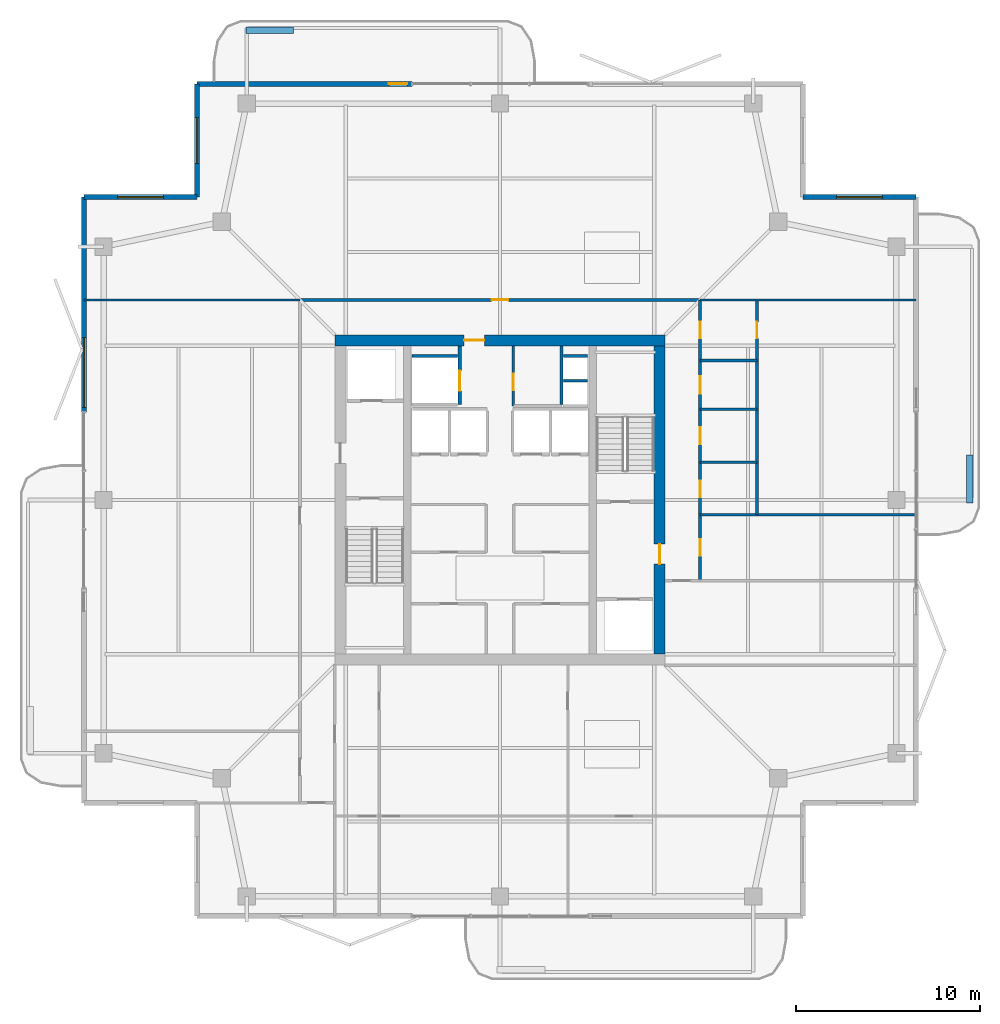
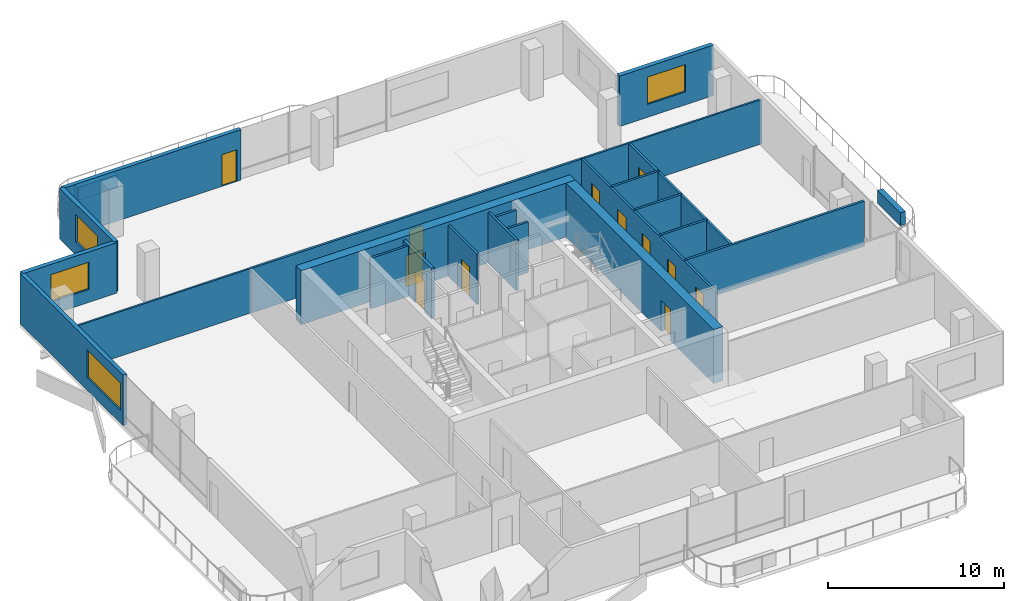
# One storey, part 14 of 18: 24 walls, 12 doors, 4 windows, 16 openings.
"""IFC4 building model written with IfcOpenShell, lengths in metres."""

from ifc_helpers import new_model, si_unit, direction, frame, frame_2d, origin, place, context, subcontext, project, spatial, rectangle, extrude, material, layer, layer_set, type_object, element, fill, save


model = new_model("IFC4")

# Units and contexts
model_context = context("Model", 3, precision=1e-05, world=origin(), true_north=direction((0.0, 1.0)))
body_context = subcontext(model_context, "Body", "Model", "MODEL_VIEW")
ifc_project = project(units=[si_unit("LENGTHUNIT", "METRE"), si_unit("AREAUNIT", "SQUARE_METRE"), si_unit("VOLUMEUNIT", "CUBIC_METRE"), si_unit("PLANEANGLEUNIT", "RADIAN"), si_unit("MASSUNIT", "GRAM", prefix="KILO")], contexts=[model_context])

# Site, building, storey
site_placement = place(None, origin())
site = spatial("IfcSite", under=ifc_project, at=site_placement, CompositionType="ELEMENT")
building_placement = place(site_placement, origin())
building = spatial("IfcBuilding", under=site, at=building_placement, Name="Belovzor Exchange Tower", CompositionType="ELEMENT")
storey_placement = place(building_placement, frame((0.0, 0.0, 310.5)))
storey = spatial("IfcBuildingStorey", under=building, at=storey_placement, Name="L77", CompositionType="ELEMENT", Elevation=310.5)

# Walls
ifc_material_1 = material(Name="Acoustic Plasterboard on Galvanised Studs", Category="gypsum")
ifc_layer_1 = layer(ifc_material_1, 0.1201171875)
ifc_layer_set_1 = layer_set([ifc_layer_1], Name="Acoustic Plasterboard on Galvanised Studs")
wall_type_1 = type_object("IfcWallType", Name="Acoustic Double-Stud Partition Wall 120", PredefinedType="PARTITIONING", material=ifc_layer_set_1)
for number, where, z_axis, x_axis, name in (
    (1, (6.1298828125, 39.699951171875, 0.0), (0.0, 0.0, 1.0), (1.0, 0.0, 0.0), "W-P120 Partition Wall W-L77-END-NW"),
    (2, (39.699951171875, 39.699951171875, 0.0), (0.0, 0.0, 1.0), (1.0, 0.0, 0.0), "W-P120 Partition Wall W-L77-END-NE"),
):
    element("IfcWall", number, at=place(storey_placement, frame(where, z_axis=z_axis, x_axis=x_axis)), inside=storey, type_object=wall_type_1, Name=name, PredefinedType="PARTITIONING", context=body_context, shape_type="SweptSolid", body=[
        extrude(rectangle(XDim=11.77001953125, YDim=0.1201171875, at=frame_2d((5.885009765625, 0.0))), origin(), (0.0, 0.0, 1.0), 3.094970703125),
    ])

# Wall, opening, door
ifc_material_2 = material(Name="Fire-Rated Gypsum Block and Mineral Wool", Category="gypsum")
ifc_layer_2 = layer(ifc_material_2, 0.14990234375)
ifc_layer_set_2 = layer_set([ifc_layer_2], Name="Fire-Rated Gypsum Block and Mineral Wool")
wall_type_2 = type_object("IfcWallType", Name="Fire-Rated Gypsum Block Corridor Wall 150", PredefinedType="PARTITIONING", material=ifc_layer_set_2)
wall_1_placement = place(storey_placement, frame((29.52490234375, 33.925048828125, 0.0), z_axis=(0.0, 0.0, 1.0), x_axis=(0.0, 1.0, 0.0)))
wall_1 = element("IfcWall", 3, at=wall_1_placement, inside=storey, type_object=wall_type_2, Name="W-P150 Partition Wall W-CRV-L77-W", PredefinedType="PARTITIONING", context=body_context, shape_type="SweptSolid", body=[
    extrude(rectangle(XDim=3.27490234375, YDim=0.14990234375, at=frame_2d((1.637451171875, 0.0))), origin(), (0.0, 0.0, 1.0), 3.510009765625),
])
opening_1_placement = place(wall_1_placement, frame((0.85009765625, 0.0, 0.0)))
opening_1 = element("IfcOpeningElement", 4, at=opening_1_placement, cuts=wall_1, Name="Opening D-FD60-090", PredefinedType="OPENING", context=body_context, shape_type="SweptSolid", body=[
    extrude(rectangle(XDim=0.89990234375, YDim=2.10009765625, at=frame_2d((0.449951171875, 1.050048828125))), frame((0.0, 0.0849609375, 0.0), z_axis=(0.0, -1.0, 0.0), x_axis=(1.0, 0.0, 0.0)), (0.0, 0.0, 1.0), 0.169921875),
])
ifc_material_3 = material(Name="Acoustic Timber Fire Leaf", Category="wood")
door_type_1 = type_object("IfcDoorType", Name="Core Service & Restroom Fire Door 900x2100", OperationType="NOTDEFINED", PredefinedType="DOOR", material=ifc_material_3)
door_1_placement = place(opening_1_placement, origin())
door_1 = element("IfcDoor", 5, at=door_1_placement, inside=storey, type_object=door_type_1, Name="D-FD60-090 Core Service & Restroom Fire Door 900x2100", OperationType="SINGLE_SWING_LEFT", OverallHeight=2.10009765625, OverallWidth=0.89990234375, PredefinedType="DOOR", context=body_context, shape_type="SweptSolid", body=[
    extrude(rectangle(XDim=0.89990234375, YDim=2.10009765625, at=frame_2d((0.449951171875, 1.050048828125))), frame((0.0, 0.02490234375, 0.0), z_axis=(0.0, -1.0, 0.0), x_axis=(1.0, 0.0, 0.0)), (0.0, 0.0, 1.0), 0.050048828125),
])
fill(opening_1, door_1)

wall_2_placement = place(storey_placement, frame((42.800048828125, 28.0, 0.0), z_axis=(0.0, 0.0, 1.0), x_axis=(0.0, 1.0, 0.0)))
wall_2 = element("IfcWall", 6, at=wall_2_placement, inside=storey, type_object=wall_type_2, Name="W-P150 Partition Wall W-L77-EWC-E", PredefinedType="PARTITIONING", context=body_context, shape_type="SweptSolid", body=[
    extrude(rectangle(XDim=11.699951171875, YDim=0.14990234375, at=frame_2d((5.85009765625, 0.0))), origin(), (0.0, 0.0, 1.0), 3.094970703125),
])
opening_2_placement = place(wall_2_placement, frame((9.60009765625, 0.0, 0.0)))
opening_2 = element("IfcOpeningElement", 7, at=opening_2_placement, cuts=wall_2, Name="Opening D-INT-090", PredefinedType="OPENING", context=body_context, shape_type="SweptSolid", body=[
    extrude(rectangle(XDim=0.89990234375, YDim=2.10009765625, at=frame_2d((0.449951171875, 1.050048828125))), frame((0.0, 0.0849609375, 0.0), z_axis=(0.0, -1.0, 0.0), x_axis=(1.0, 0.0, 0.0)), (0.0, 0.0, 1.0), 0.169921875),
])
ifc_material_4 = material(Name="Veneered Hardwood Acoustic Leaf", Category="wood")
door_type_2 = type_object("IfcDoorType", Name="Trading Suite Acoustic Single Door 900x2100", OperationType="NOTDEFINED", PredefinedType="DOOR", material=ifc_material_4)
door_2_placement = place(opening_2_placement, origin())
door_2 = element("IfcDoor", 8, at=door_2_placement, inside=storey, type_object=door_type_2, Name="D-INT-090 Trading Suite Acoustic Single Door 900x2100", OperationType="SINGLE_SWING_RIGHT", OverallHeight=2.10009765625, OverallWidth=0.89990234375, PredefinedType="DOOR", context=body_context, shape_type="SweptSolid", body=[
    extrude(rectangle(XDim=0.89990234375, YDim=2.10009765625, at=frame_2d((0.449951171875, 1.050048828125))), frame((0.0, 0.02490234375, 0.0), z_axis=(0.0, -1.0, 0.0), x_axis=(1.0, 0.0, 0.0)), (0.0, 0.0, 1.0), 0.050048828125),
])
fill(opening_2, door_2)

# Walls
wall_3_placement = place(storey_placement, frame((39.699951171875, 28.0, 0.0), z_axis=(0.0, 0.0, 1.0), x_axis=(1.0, 0.0, 0.0)))
element("IfcWall", 9, at=wall_3_placement, inside=storey, type_object=wall_type_2, Name="W-P150 Partition Wall W-L77-EWC-S", PredefinedType="PARTITIONING", context=body_context, shape_type="SweptSolid", body=[
    extrude(rectangle(XDim=11.77001953125, YDim=0.14990234375, at=frame_2d((5.885009765625, 0.0))), origin(), (0.0, 0.0, 1.0), 3.135009765625),
])
for number, where, z_axis, x_axis, name in (
    (10, (39.699951171875, 36.39990234375, 0.0), (0.0, 0.0, 1.0), (1.0, 0.0, 0.0), "W-P150 Partition Wall W-L77-EWC-N"),
    (11, (39.699951171875, 30.85009765625, 0.0), (0.0, 0.0, 1.0), (1.0, 0.0, 0.0), "W-P150 Partition Wall W-L77-EWC-D1"),
    (12, (39.699951171875, 33.75, 0.0), (0.0, 0.0, 1.0), (1.0, 0.0, 0.0), "W-P150 Partition Wall W-L77-EWC-D2"),
):
    element("IfcWall", number, at=place(storey_placement, frame(where, z_axis=z_axis, x_axis=x_axis)), inside=storey, type_object=wall_type_2, Name=name, PredefinedType="PARTITIONING", context=body_context, shape_type="SweptSolid", body=[
        extrude(rectangle(XDim=3.10009765625, YDim=0.14990234375, at=frame_2d((1.550048828125, 0.0))), origin(), (0.0, 0.0, 1.0), 3.135009765625),
    ])

# Wall, opening, door
wall_4_placement = place(storey_placement, frame((17.89990234375, 39.699951171875, 0.0), z_axis=(0.0, 0.0, 1.0), x_axis=(1.0, 0.0, 0.0)))
wall_4 = element("IfcWall", 13, at=wall_4_placement, inside=storey, type_object=wall_type_2, Name="W-P150 Partition Wall W-L77-CN", PredefinedType="PARTITIONING", context=body_context, shape_type="SweptSolid", body=[
    extrude(rectangle(XDim=21.800048828125, YDim=0.14990234375, at=frame_2d((10.89990234375, 0.0))), origin(), (0.0, 0.0, 1.0), 3.094970703125),
])
opening_3_placement = place(wall_4_placement, frame((10.449951171875, 0.0, 0.0)))
opening_3 = element("IfcOpeningElement", 14, at=opening_3_placement, cuts=wall_4, Name="Opening D-INT-090", PredefinedType="OPENING", context=body_context, shape_type="SweptSolid", body=[
    extrude(rectangle(XDim=0.89990234375, YDim=2.10009765625, at=frame_2d((0.449951171875, 1.050048828125))), frame((0.0, 0.0849609375, 0.0), z_axis=(0.0, -1.0, 0.0), x_axis=(1.0, 0.0, 0.0)), (0.0, 0.0, 1.0), 0.169921875),
])
door_3_placement = place(opening_3_placement, origin())
door_3 = element("IfcDoor", 15, at=door_3_placement, inside=storey, type_object=door_type_2, Name="D-INT-090 Trading Suite Acoustic Single Door 900x2100", OperationType="SINGLE_SWING_LEFT", OverallHeight=2.10009765625, OverallWidth=0.89990234375, PredefinedType="DOOR", context=body_context, shape_type="SweptSolid", body=[
    extrude(rectangle(XDim=0.89990234375, YDim=2.10009765625, at=frame_2d((0.449951171875, 1.050048828125))), frame((0.0, 0.02490234375, 0.0), z_axis=(0.0, -1.0, 0.0), x_axis=(1.0, 0.0, 0.0)), (0.0, 0.0, 1.0), 0.050048828125),
])
fill(opening_3, door_3)

# Wall, openings, doors
wall_5_placement = place(storey_placement, frame((39.699951171875, 24.39990234375, 0.0), z_axis=(0.0, 0.0, 1.0), x_axis=(0.0, 1.0, 0.0)))
wall_5 = element("IfcWall", 16, at=wall_5_placement, inside=storey, type_object=wall_type_2, Name="W-P150 Partition Wall W-L77-CE", PredefinedType="PARTITIONING", context=body_context, shape_type="SweptSolid", body=[
    extrude(rectangle(XDim=15.300048828125, YDim=0.14990234375, at=frame_2d((7.64990234375, 0.0))), origin(), (0.0, 0.0, 1.0), 3.094970703125),
])
opening_4_placement = place(wall_5_placement, frame((1.35009765625, 0.0, 0.0)))
opening_4 = element("IfcOpeningElement", 17, at=opening_4_placement, cuts=wall_5, Name="Opening D-INT-090", PredefinedType="OPENING", context=body_context, shape_type="SweptSolid", body=[
    extrude(rectangle(XDim=0.89990234375, YDim=2.10009765625, at=frame_2d((0.449951171875, 1.050048828125))), frame((0.0, 0.0849609375, 0.0), z_axis=(0.0, -1.0, 0.0), x_axis=(1.0, 0.0, 0.0)), (0.0, 0.0, 1.0), 0.169921875),
])
opening_5_placement = place(wall_5_placement, frame((4.550048828125, 0.0, 0.0)))
opening_5 = element("IfcOpeningElement", 18, at=opening_5_placement, cuts=wall_5, Name="Opening D-FD60-090", PredefinedType="OPENING", context=body_context, shape_type="SweptSolid", body=[
    extrude(rectangle(XDim=0.89990234375, YDim=2.10009765625, at=frame_2d((0.449951171875, 1.050048828125))), frame((0.0, 0.0849609375, 0.0), z_axis=(0.0, -1.0, 0.0), x_axis=(1.0, 0.0, 0.0)), (0.0, 0.0, 1.0), 0.169921875),
])
opening_6_placement = place(wall_5_placement, frame((7.449951171875, 0.0, 0.0)))
opening_6 = element("IfcOpeningElement", 19, at=opening_6_placement, cuts=wall_5, Name="Opening D-FD60-090", PredefinedType="OPENING", context=body_context, shape_type="SweptSolid", body=[
    extrude(rectangle(XDim=0.89990234375, YDim=2.10009765625, at=frame_2d((0.449951171875, 1.050048828125))), frame((0.0, 0.0849609375, 0.0), z_axis=(0.0, -1.0, 0.0), x_axis=(1.0, 0.0, 0.0)), (0.0, 0.0, 1.0), 0.169921875),
])
opening_7_placement = place(wall_5_placement, frame((10.199951171875, 0.0, 0.0)))
opening_7 = element("IfcOpeningElement", 20, at=opening_7_placement, cuts=wall_5, Name="Opening D-FD60-095", PredefinedType="OPENING", context=body_context, shape_type="SweptSolid", body=[
    extrude(rectangle(XDim=0.949951171875, YDim=2.10009765625, at=frame_2d((0.47509765625, 1.050048828125))), frame((0.0, 0.0849609375, 0.0), z_axis=(0.0, -1.0, 0.0), x_axis=(1.0, 0.0, 0.0)), (0.0, 0.0, 1.0), 0.169921875),
])
opening_8_placement = place(wall_5_placement, frame((13.199951171875, 0.0, 0.0)))
opening_8 = element("IfcOpeningElement", 21, at=opening_8_placement, cuts=wall_5, Name="Opening D-FD60-090", PredefinedType="OPENING", context=body_context, shape_type="SweptSolid", body=[
    extrude(rectangle(XDim=0.89990234375, YDim=2.10009765625, at=frame_2d((0.449951171875, 1.050048828125))), frame((0.0, 0.0849609375, 0.0), z_axis=(0.0, -1.0, 0.0), x_axis=(1.0, 0.0, 0.0)), (0.0, 0.0, 1.0), 0.169921875),
])
ifc_material_5 = material(Name="Moisture-Resistant Timber Fire Leaf", Category="wood")
door_type_3 = type_object("IfcDoorType", Name="Accessible Restroom Wide Fire Door 950x2100", OperationType="NOTDEFINED", PredefinedType="DOOR", material=ifc_material_5)
door_4_placement = place(opening_7_placement, origin())
door_4 = element("IfcDoor", 22, at=door_4_placement, inside=storey, type_object=door_type_3, Name="D-FD60-095 Accessible Restroom Wide Fire Door 950x2100", OperationType="SINGLE_SWING_LEFT", OverallHeight=2.10009765625, OverallWidth=0.949951171875, PredefinedType="DOOR", context=body_context, shape_type="SweptSolid", body=[
    extrude(rectangle(XDim=0.949951171875, YDim=2.10009765625, at=frame_2d((0.47509765625, 1.050048828125))), frame((0.0, 0.02490234375, 0.0), z_axis=(0.0, -1.0, 0.0), x_axis=(1.0, 0.0, 0.0)), (0.0, 0.0, 1.0), 0.050048828125),
])
fill(opening_7, door_4)
door_5_placement = place(opening_5_placement, origin())
door_5 = element("IfcDoor", 23, at=door_5_placement, inside=storey, type_object=door_type_1, Name="D-FD60-090 Core Service & Restroom Fire Door 900x2100", OperationType="SINGLE_SWING_LEFT", OverallHeight=2.10009765625, OverallWidth=0.89990234375, PredefinedType="DOOR", context=body_context, shape_type="SweptSolid", body=[
    extrude(rectangle(XDim=0.89990234375, YDim=2.10009765625, at=frame_2d((0.449951171875, 1.050048828125))), frame((0.0, 0.02490234375, 0.0), z_axis=(0.0, -1.0, 0.0), x_axis=(1.0, 0.0, 0.0)), (0.0, 0.0, 1.0), 0.050048828125),
])
fill(opening_5, door_5)
door_6_placement = place(opening_6_placement, origin())
door_6 = element("IfcDoor", 24, at=door_6_placement, inside=storey, type_object=door_type_1, Name="D-FD60-090 Core Service & Restroom Fire Door 900x2100", OperationType="SINGLE_SWING_RIGHT", OverallHeight=2.10009765625, OverallWidth=0.89990234375, PredefinedType="DOOR", context=body_context, shape_type="SweptSolid", body=[
    extrude(rectangle(XDim=0.89990234375, YDim=2.10009765625, at=frame_2d((0.449951171875, 1.050048828125))), frame((0.0, 0.02490234375, 0.0), z_axis=(0.0, -1.0, 0.0), x_axis=(1.0, 0.0, 0.0)), (0.0, 0.0, 1.0), 0.050048828125),
])
fill(opening_6, door_6)
door_7_placement = place(opening_8_placement, origin())
door_7 = element("IfcDoor", 25, at=door_7_placement, inside=storey, type_object=door_type_1, Name="D-FD60-090 Core Service & Restroom Fire Door 900x2100", OperationType="SINGLE_SWING_RIGHT", OverallHeight=2.10009765625, OverallWidth=0.89990234375, PredefinedType="DOOR", context=body_context, shape_type="SweptSolid", body=[
    extrude(rectangle(XDim=0.89990234375, YDim=2.10009765625, at=frame_2d((0.449951171875, 1.050048828125))), frame((0.0, 0.02490234375, 0.0), z_axis=(0.0, -1.0, 0.0), x_axis=(1.0, 0.0, 0.0)), (0.0, 0.0, 1.0), 0.050048828125),
])
fill(opening_8, door_7)
door_8_placement = place(opening_4_placement, origin())
door_8 = element("IfcDoor", 26, at=door_8_placement, inside=storey, type_object=door_type_2, Name="D-INT-090 Trading Suite Acoustic Single Door 900x2100", OperationType="SINGLE_SWING_RIGHT", OverallHeight=2.10009765625, OverallWidth=0.89990234375, PredefinedType="DOOR", context=body_context, shape_type="SweptSolid", body=[
    extrude(rectangle(XDim=0.89990234375, YDim=2.10009765625, at=frame_2d((0.449951171875, 1.050048828125))), frame((0.0, 0.02490234375, 0.0), z_axis=(0.0, -1.0, 0.0), x_axis=(1.0, 0.0, 0.0)), (0.0, 0.0, 1.0), 0.050048828125),
])
fill(opening_4, door_8)

# Wall, opening, window
ifc_material_6 = material(Name="Precast concrete C40/50", Category="concrete")
ifc_layer_3 = layer(ifc_material_6, 0.280029296875)
ifc_layer_set_3 = layer_set([ifc_layer_3], Name="Precast concrete C40/50")
wall_type_3 = type_object("IfcWallType", Name="Precast Concrete Notched Corner Frame Wall 280", PredefinedType="SOLIDWALL", material=ifc_layer_set_3)
wall_6_placement = place(storey_placement, frame((6.1298828125, 45.300048828125, 0.0), z_axis=(0.0, 0.0, 1.0), x_axis=(1.0, 0.0, 0.0)))
wall_6 = element("IfcWall", 27, at=wall_6_placement, inside=storey, type_object=wall_type_3, Name="W-CRN280 Precast Concrete Notched Corner Frame Wall 280 L77", PredefinedType="SOLIDWALL", context=body_context, shape_type="SweptSolid", body=[
    extrude(rectangle(XDim=6.170166015625, YDim=0.280029296875, at=frame_2d((3.0849609375, 0.0))), origin(), (0.0, 0.0, 1.0), 3.510009765625),
])
opening_9_placement = place(wall_6_placement, frame((1.8349609375, 0.0, 0.89990234375)))
opening_9 = element("IfcOpeningElement", 28, at=opening_9_placement, cuts=wall_6, Name="Opening WN-CRN250", PredefinedType="OPENING", context=body_context, shape_type="SweptSolid", body=[
    extrude(rectangle(XDim=2.5, YDim=1.89990234375, at=frame_2d((1.25, 0.949951171875))), frame((0.0, 0.14990234375, 0.0), z_axis=(0.0, -1.0, 0.0), x_axis=(1.0, 0.0, 0.0)), (0.0, 0.0, 1.0), 0.300048828125),
])
ifc_material_7 = material(Name="Thermally Broken Aluminium and Triple Glazing", Category="aluminium")
window_type_1 = type_object("IfcWindowType", Name="Streamline Moderne Corner Wrap Ribbon Window 2500x1900", PartitioningType="SINGLE_PANEL", PredefinedType="WINDOW", material=ifc_material_7)
window_1_placement = place(opening_9_placement, origin())
window_1 = element("IfcWindow", 29, at=window_1_placement, inside=storey, type_object=window_type_1, Name="WN-CRN250 Streamline Moderne Corner Wrap Ribbon Window 2500x1900", OverallHeight=1.89990234375, OverallWidth=2.5, PartitioningType="SINGLE_PANEL", PredefinedType="WINDOW", context=body_context, shape_type="SweptSolid", body=[
    extrude(rectangle(XDim=2.5, YDim=1.89990234375, at=frame_2d((1.25, 0.949951171875))), frame((0.0, 0.030029296875, 0.0), z_axis=(0.0, -1.0, 0.0), x_axis=(1.0, 0.0, 0.0)), (0.0, 0.0, 1.0), 0.06005859375),
])
fill(opening_9, window_1)

wall_7_placement = place(storey_placement, frame((12.300048828125, 45.300048828125, 0.0), z_axis=(0.0, 0.0, 1.0), x_axis=(0.0, 1.0, 0.0)))
wall_7 = element("IfcWall", 30, at=wall_7_placement, inside=storey, type_object=wall_type_3, Name="W-CRN280 Precast Concrete Notched Corner Frame Wall 280 L77", PredefinedType="SOLIDWALL", context=body_context, shape_type="SweptSolid", body=[
    extrude(rectangle(XDim=6.169921875, YDim=0.280029296875, at=frame_2d((3.0849609375, 0.0))), origin(), (0.0, 0.0, 1.0), 3.510009765625),
])
opening_10_placement = place(wall_7_placement, frame((1.8349609375, 0.0, 0.89990234375)))
opening_10 = element("IfcOpeningElement", 31, at=opening_10_placement, cuts=wall_7, Name="Opening WN-CRN250", PredefinedType="OPENING", context=body_context, shape_type="SweptSolid", body=[
    extrude(rectangle(XDim=2.5, YDim=1.89990234375, at=frame_2d((1.25, 0.949951171875))), frame((0.0, 0.14990234375, 0.0), z_axis=(0.0, -1.0, 0.0), x_axis=(1.0, 0.0, 0.0)), (0.0, 0.0, 1.0), 0.300048828125),
])
window_2_placement = place(opening_10_placement, origin())
window_2 = element("IfcWindow", 32, at=window_2_placement, inside=storey, type_object=window_type_1, Name="WN-CRN250 Streamline Moderne Corner Wrap Ribbon Window 2500x1900", OverallHeight=1.89990234375, OverallWidth=2.5, PartitioningType="SINGLE_PANEL", PredefinedType="WINDOW", context=body_context, shape_type="SweptSolid", body=[
    extrude(rectangle(XDim=2.5, YDim=1.89990234375, at=frame_2d((1.25, 0.949951171875))), frame((0.0, 0.030029296875, 0.0), z_axis=(0.0, -1.0, 0.0), x_axis=(1.0, 0.0, 0.0)), (0.0, 0.0, 1.0), 0.06005859375),
])
fill(opening_10, window_2)

wall_8_placement = place(storey_placement, frame((45.300048828125, 45.300048828125, 0.0), z_axis=(0.0, 0.0, 1.0), x_axis=(1.0, 0.0, 0.0)))
wall_8 = element("IfcWall", 33, at=wall_8_placement, inside=storey, type_object=wall_type_3, Name="W-CRN280 Precast Concrete Notched Corner Frame Wall 280 L77", PredefinedType="SOLIDWALL", context=body_context, shape_type="SweptSolid", body=[
    extrude(rectangle(XDim=6.169921875, YDim=0.280029296875, at=frame_2d((3.0849609375, 0.0))), origin(), (0.0, 0.0, 1.0), 3.510009765625),
])
opening_11_placement = place(wall_8_placement, frame((1.8349609375, 0.0, 0.89990234375)))
opening_11 = element("IfcOpeningElement", 34, at=opening_11_placement, cuts=wall_8, Name="Opening WN-CRN250", PredefinedType="OPENING", context=body_context, shape_type="SweptSolid", body=[
    extrude(rectangle(XDim=2.5, YDim=1.89990234375, at=frame_2d((1.25, 0.949951171875))), frame((0.0, 0.14990234375, 0.0), z_axis=(0.0, -1.0, 0.0), x_axis=(1.0, 0.0, 0.0)), (0.0, 0.0, 1.0), 0.300048828125),
])
window_3_placement = place(opening_11_placement, origin())
window_3 = element("IfcWindow", 35, at=window_3_placement, inside=storey, type_object=window_type_1, Name="WN-CRN250 Streamline Moderne Corner Wrap Ribbon Window 2500x1900", OverallHeight=1.89990234375, OverallWidth=2.5, PartitioningType="SINGLE_PANEL", PredefinedType="WINDOW", context=body_context, shape_type="SweptSolid", body=[
    extrude(rectangle(XDim=2.5, YDim=1.89990234375, at=frame_2d((1.25, 0.949951171875))), frame((0.0, 0.030029296875, 0.0), z_axis=(0.0, -1.0, 0.0), x_axis=(1.0, 0.0, 0.0)), (0.0, 0.0, 1.0), 0.06005859375),
])
fill(opening_11, window_3)

# Wall, opening, door
ifc_material_8 = material(Name="Precast concrete C40/50", Category="concrete")
ifc_layer_4 = layer(ifc_material_8, 0.260009765625)
ifc_layer_set_4 = layer_set([ifc_layer_4], Name="Precast concrete C40/50")
wall_type_4 = type_object("IfcWallType", Name="Precast Concrete Perimeter Loggia Frame Wall 260", PredefinedType="SOLIDWALL", material=ifc_layer_set_4)
wall_9_placement = place(storey_placement, frame((12.300048828125, 51.469970703125, 0.0), z_axis=(0.0, 0.0, 1.0), x_axis=(1.0, 0.0, 0.0)))
wall_9 = element("IfcWall", 36, at=wall_9_placement, inside=storey, type_object=wall_type_4, Name="W-EXT260 Precast Concrete Perimeter Loggia Frame Wall 260 L77", PredefinedType="SOLIDWALL", context=body_context, shape_type="SweptSolid", body=[
    extrude(rectangle(XDim=11.699951171875, YDim=0.260009765625, at=frame_2d((5.85009765625, 0.0))), origin(), (0.0, 0.0, 1.0), 3.510009765625),
])
opening_12_placement = place(wall_9_placement, frame((10.449951171875, 0.0, 0.0)))
opening_12 = element("IfcOpeningElement", 37, at=opening_12_placement, cuts=wall_9, Name="Opening D-BAL100", PredefinedType="OPENING", context=body_context, shape_type="SweptSolid", body=[
    extrude(rectangle(XDim=1.0, YDim=2.199951171875, at=frame_2d((0.5, 1.10009765625))), frame((0.0, 0.139892578125, 0.0), z_axis=(0.0, -1.0, 0.0), x_axis=(1.0, 0.0, 0.0)), (0.0, 0.0, 1.0), 0.280029296875),
])
ifc_material_9 = material(Name="Thermally Broken Anodised Aluminium and Laminated Glass", Category="aluminium")
door_type_4 = type_object("IfcDoorType", Name="Planted Loggia Terrace Glazed Door 1000x2200", OperationType="SINGLE_SWING_LEFT", PredefinedType="DOOR", material=ifc_material_9)
door_9_placement = place(opening_12_placement, origin())
door_9 = element("IfcDoor", 38, at=door_9_placement, inside=storey, type_object=door_type_4, Name="D-BAL100 Balcony Terrace Door L77 N", OperationType="SINGLE_SWING_RIGHT", OverallHeight=2.199951171875, OverallWidth=1.0, PredefinedType="DOOR", context=body_context, shape_type="SweptSolid", body=[
    extrude(rectangle(XDim=1.0, YDim=2.199951171875, at=frame_2d((0.5, 1.10009765625))), frame((0.0, 0.02490234375, 0.0), z_axis=(0.0, -1.0, 0.0), x_axis=(1.0, 0.0, 0.0)), (0.0, 0.0, 1.0), 0.050048828125),
])
fill(opening_12, door_9)

# Wall, opening, window
wall_10_placement = place(storey_placement, frame((6.1298828125, 33.60009765625, 0.0), z_axis=(0.0, 0.0, 1.0), x_axis=(0.0, 1.0, 0.0)))
wall_10 = element("IfcWall", 39, at=wall_10_placement, inside=storey, type_object=wall_type_4, Name="W-EXT260 Precast Concrete Perimeter Loggia Frame Wall 260 L77", PredefinedType="SOLIDWALL", context=body_context, shape_type="SweptSolid", body=[
    extrude(rectangle(XDim=11.699951171875, YDim=0.260009765625, at=frame_2d((5.85009765625, 0.0))), origin(), (0.0, 0.0, 1.0), 3.510009765625),
])
opening_13_placement = place(wall_10_placement, frame((0.25, 0.0, 0.89990234375)))
opening_13 = element("IfcOpeningElement", 40, at=opening_13_placement, cuts=wall_10, Name="Opening WN-RIB380", PredefinedType="OPENING", context=body_context, shape_type="SweptSolid", body=[
    extrude(rectangle(XDim=3.800048828125, YDim=1.89990234375, at=frame_2d((1.89990234375, 0.949951171875))), frame((0.0, 0.139892578125, 0.0), z_axis=(0.0, -1.0, 0.0), x_axis=(1.0, 0.0, 0.0)), (0.0, 0.0, 1.0), 0.280029296875),
])
ifc_material_10 = material(Name="Thermally Broken Aluminium and Triple Glazing", Category="aluminium")
window_type_2 = type_object("IfcWindowType", Name="Streamline Moderne Horizontal Ribbon Window 3800x1900", PartitioningType="SINGLE_PANEL", PredefinedType="WINDOW", material=ifc_material_10)
window_4_placement = place(opening_13_placement, origin())
window_4 = element("IfcWindow", 41, at=window_4_placement, inside=storey, type_object=window_type_2, Name="WN-RIB380 Streamline Moderne Horizontal Ribbon Window 3800x1900", OverallHeight=1.89990234375, OverallWidth=3.800048828125, PartitioningType="SINGLE_PANEL", PredefinedType="WINDOW", context=body_context, shape_type="SweptSolid", body=[
    extrude(rectangle(XDim=3.800048828125, YDim=1.89990234375, at=frame_2d((1.89990234375, 0.949951171875))), frame((0.0, 0.030029296875, 0.0), z_axis=(0.0, -1.0, 0.0), x_axis=(1.0, 0.0, 0.0)), (0.0, 0.0, 1.0), 0.06005859375),
])
fill(opening_13, window_4)

# Walls
ifc_material_11 = material(Name="Precast concrete C40/50", Category="concrete")
ifc_layer_5 = layer(ifc_material_11, 0.35009765625)
ifc_layer_set_5 = layer_set([ifc_layer_5], Name="Precast concrete C40/50")
wall_type_5 = type_object("IfcWallType", Name="Precast Concrete Structural Tree Planter Trough 350", PredefinedType="PARAPET", material=ifc_layer_set_5)
for number, where, z_axis, x_axis, name in (
    (42, (14.949951171875, 54.39990234375, 0.0), (0.0, 0.0, 1.0), (1.0, 0.0, 0.0), "PT-350 Precast Concrete Structural Tree Planter Trough 350 L77"),
    (43, (54.39990234375, 28.64990234375, 0.0), (0.0, 0.0, 1.0), (0.0, 1.0, 0.0), "PT-350 Precast Concrete Structural Tree Planter Trough 350 L77"),
):
    element("IfcWall", number, at=place(storey_placement, frame(where, z_axis=z_axis, x_axis=x_axis)), inside=storey, type_object=wall_type_5, Name=name, PredefinedType="PARAPET", context=body_context, shape_type="SweptSolid", body=[
        extrude(rectangle(XDim=2.60009765625, YDim=0.35009765625, at=frame_2d((1.300048828125, 0.0))), origin(), (0.0, 0.0, 1.0), 0.89990234375),
    ])
ifc_material_12 = material(Name="Concrete C50/60", Category="concrete")
ifc_layer_6 = layer(ifc_material_12, 0.14990234375)
ifc_layer_set_6 = layer_set([ifc_layer_6], Name="Concrete C50/60")
wall_type_6 = type_object("IfcWallType", Name="Reinforced Concrete Core Riser Shear Wall 150", PredefinedType="SHEAR", material=ifc_layer_set_6)
wall_11_placement = place(storey_placement, frame((32.14990234375, 34.0, 0.0), z_axis=(0.0, 0.0, 1.0), x_axis=(0.0, 1.0, 0.0)))
element("IfcWall", 44, at=wall_11_placement, inside=storey, type_object=wall_type_6, Name="W-C150S Core Shaft Wall W-RSR-L77-E", PredefinedType="SHEAR", context=body_context, shape_type="SweptSolid", body=[
    extrude(rectangle(XDim=3.199951171875, YDim=0.14990234375, at=frame_2d((1.60009765625, 0.0))), origin(), (0.0, 0.0, 1.0), 3.510009765625),
])
wall_12_placement = place(storey_placement, frame((32.25, 35.300048828125, 0.0), z_axis=(0.0, 0.0, 1.0), x_axis=(1.0, 0.0, 0.0)))
element("IfcWall", 45, at=wall_12_placement, inside=storey, type_object=wall_type_6, Name="W-C150S Core Shaft Wall W-RSR-L77-M", PredefinedType="SHEAR", context=body_context, shape_type="SweptSolid", body=[
    extrude(rectangle(XDim=1.330078125, YDim=0.14990234375, at=frame_2d((0.6650390625, 0.0))), origin(), (0.0, 0.0, 1.0), 3.510009765625),
])
wall_13_placement = place(storey_placement, frame((24.0, 36.64990234375, 0.0), z_axis=(0.0, 0.0, 1.0), x_axis=(1.0, 0.0, 0.0)))
element("IfcWall", 46, at=wall_13_placement, inside=storey, type_object=wall_type_6, Name="W-C150S Core Shaft Wall W-SH-L77-SL-01N", PredefinedType="SHEAR", context=body_context, shape_type="SweptSolid", body=[
    extrude(rectangle(XDim=2.47998046875, YDim=0.14990234375, at=frame_2d((1.239990234375, 0.0))), origin(), (0.0, 0.0, 1.0), 3.510009765625),
])
wall_14_placement = place(storey_placement, frame((32.25, 36.64990234375, 0.0), z_axis=(0.0, 0.0, 1.0), x_axis=(1.0, 0.0, 0.0)))
element("IfcWall", 47, at=wall_14_placement, inside=storey, type_object=wall_type_6, Name="W-C150S Core Shaft Wall W-RSR-L77-N", PredefinedType="SHEAR", context=body_context, shape_type="SweptSolid", body=[
    extrude(rectangle(XDim=1.330078125, YDim=0.14990234375, at=frame_2d((0.6650390625, 0.0))), origin(), (0.0, 0.0, 1.0), 3.510009765625),
])

# Wall, opening, door
ifc_material_13 = material(Name="Concrete C50/60", Category="concrete")
ifc_layer_7 = layer(ifc_material_13, 0.199951171875)
ifc_layer_set_7 = layer_set([ifc_layer_7], Name="Concrete C50/60")
wall_type_7 = type_object("IfcWallType", Name="Reinforced Concrete Core Shaft Shear Wall 200", PredefinedType="SHEAR", material=ifc_layer_set_7)
wall_15_placement = place(storey_placement, frame((26.60009765625, 34.0, 0.0), z_axis=(0.0, 0.0, 1.0), x_axis=(0.0, 1.0, 0.0)))
wall_15 = element("IfcWall", 48, at=wall_15_placement, inside=storey, type_object=wall_type_7, Name="W-C200S Core Shaft Wall W-SH-L77-SL-01", PredefinedType="SHEAR", context=body_context, shape_type="SweptSolid", body=[
    extrude(rectangle(XDim=3.199951171875, YDim=0.199951171875, at=frame_2d((1.60009765625, 0.0))), origin(), (0.0, 0.0, 1.0), 3.510009765625),
])
opening_14_placement = place(wall_15_placement, frame((0.75, 0.0, 0.0)))
opening_14 = element("IfcOpeningElement", 49, at=opening_14_placement, cuts=wall_15, Name="Opening LD-110", PredefinedType="OPENING", context=body_context, shape_type="SweptSolid", body=[
    extrude(rectangle(XDim=1.10009765625, YDim=2.14990234375, at=frame_2d((0.550048828125, 1.074951171875))), frame((0.0, 0.10986328125, 0.0), z_axis=(0.0, -1.0, 0.0), x_axis=(1.0, 0.0, 0.0)), (0.0, 0.0, 1.0), 0.219970703125),
])
ifc_material_14 = material(Name="Stainless Steel Grade 304", Category="steel")
door_type_5 = type_object("IfcDoorType", Name="Automated Stainless Steel Lift Landing Door 1100x2150", OperationType="SLIDING_TO_RIGHT", PredefinedType="DOOR", material=ifc_material_14)
door_10_placement = place(opening_14_placement, origin())
door_10 = element("IfcDoor", 50, at=door_10_placement, inside=storey, type_object=door_type_5, Name="LD-110 Automated Stainless Steel Lift Landing Door 1100x2150", OperationType="SLIDING_TO_RIGHT", OverallHeight=2.14990234375, OverallWidth=1.10009765625, PredefinedType="DOOR", context=body_context, shape_type="SweptSolid", body=[
    extrude(rectangle(XDim=1.10009765625, YDim=2.14990234375, at=frame_2d((0.550048828125, 1.074951171875))), frame((0.0, 0.02490234375, 0.0), z_axis=(0.0, -1.0, 0.0), x_axis=(1.0, 0.0, 0.0)), (0.0, 0.0, 1.0), 0.050048828125),
])
fill(opening_14, door_10)

ifc_material_15 = material(Name="Concrete C50/60", Category="concrete")
ifc_layer_8 = layer(ifc_material_15, 0.60009765625)
ifc_layer_set_8 = layer_set([ifc_layer_8], Name="Concrete C50/60")
wall_type_8 = type_object("IfcWallType", Name="Reinforced Concrete Core Shear Wall 600", PredefinedType="SHEAR", material=ifc_layer_set_8)
wall_16_placement = place(storey_placement, frame((19.800048828125, 37.5, 0.0), z_axis=(0.0, 0.0, 1.0), x_axis=(1.0, 0.0, 0.0)))
wall_16 = element("IfcWall", 51, at=wall_16_placement, inside=storey, type_object=wall_type_8, Name="CW-S060 Core Shear Wall L77 N", PredefinedType="SHEAR", context=body_context, shape_type="SweptSolid", body=[
    extrude(rectangle(XDim=18.0, YDim=0.60009765625, at=frame_2d((9.0, 0.0))), origin(), (0.0, 0.0, 1.0), 3.75),
])
opening_15_placement = place(wall_16_placement, frame((7.050048828125, 0.0, 0.0)))
opening_15 = element("IfcOpeningElement", 52, at=opening_15_placement, cuts=wall_16, Name="Opening D-FD90-110", PredefinedType="OPENING", context=body_context, shape_type="SweptSolid", body=[
    extrude(rectangle(XDim=1.10009765625, YDim=2.14990234375, at=frame_2d((0.550048828125, 1.074951171875))), frame((0.0, 0.31005859375, 0.0), z_axis=(0.0, -1.0, 0.0), x_axis=(1.0, 0.0, 0.0)), (0.0, 0.0, 1.0), 0.6201171875),
])
ifc_material_16 = material(Name="Fire-Rated Galvanised Steel Leaf", Category="steel")
door_type_6 = type_object("IfcDoorType", Name="Protected Escape Vestibule Fire Door 1100x2150", OperationType="NOTDEFINED", PredefinedType="DOOR", material=ifc_material_16)
door_11_placement = place(opening_15_placement, origin())
door_11 = element("IfcDoor", 53, at=door_11_placement, inside=storey, type_object=door_type_6, Name="D-FD90-110 Protected Escape Vestibule Fire Door 1100x2150", OperationType="SINGLE_SWING_LEFT", OverallHeight=2.14990234375, OverallWidth=1.10009765625, PredefinedType="DOOR", context=body_context, shape_type="SweptSolid", body=[
    extrude(rectangle(XDim=1.10009765625, YDim=2.14990234375, at=frame_2d((0.550048828125, 1.074951171875))), frame((0.0, 0.02490234375, 0.0), z_axis=(0.0, -1.0, 0.0), x_axis=(1.0, 0.0, 0.0)), (0.0, 0.0, 1.0), 0.050048828125),
])
fill(opening_15, door_11)

wall_17_placement = place(storey_placement, frame((37.5, 20.39990234375, 0.0), z_axis=(0.0, 0.0, 1.0), x_axis=(0.0, 1.0, 0.0)))
wall_17 = element("IfcWall", 54, at=wall_17_placement, inside=storey, type_object=wall_type_8, Name="CW-S060 Core Shear Wall L77 E", PredefinedType="SHEAR", context=body_context, shape_type="SweptSolid", body=[
    extrude(rectangle(XDim=16.800048828125, YDim=0.60009765625, at=frame_2d((8.39990234375, 0.0))), origin(), (0.0, 0.0, 1.0), 3.75),
])
opening_16_placement = place(wall_17_placement, frame((4.89990234375, 0.0, 0.0)))
opening_16 = element("IfcOpeningElement", 55, at=opening_16_placement, cuts=wall_17, Name="Opening D-FD90-110", PredefinedType="OPENING", context=body_context, shape_type="SweptSolid", body=[
    extrude(rectangle(XDim=1.10009765625, YDim=2.14990234375, at=frame_2d((0.550048828125, 1.074951171875))), frame((0.0, 0.31005859375, 0.0), z_axis=(0.0, -1.0, 0.0), x_axis=(1.0, 0.0, 0.0)), (0.0, 0.0, 1.0), 0.6201171875),
])
door_12_placement = place(opening_16_placement, origin())
door_12 = element("IfcDoor", 56, at=door_12_placement, inside=storey, type_object=door_type_6, Name="D-FD90-110 Protected Escape Vestibule Fire Door 1100x2150", OperationType="SINGLE_SWING_RIGHT", OverallHeight=2.14990234375, OverallWidth=1.10009765625, PredefinedType="DOOR", context=body_context, shape_type="SweptSolid", body=[
    extrude(rectangle(XDim=1.10009765625, YDim=2.14990234375, at=frame_2d((0.550048828125, 1.074951171875))), frame((0.0, 0.02490234375, 0.0), z_axis=(0.0, -1.0, 0.0), x_axis=(1.0, 0.0, 0.0)), (0.0, 0.0, 1.0), 0.050048828125),
])
fill(opening_16, door_12)

save(model, "model.ifc")
